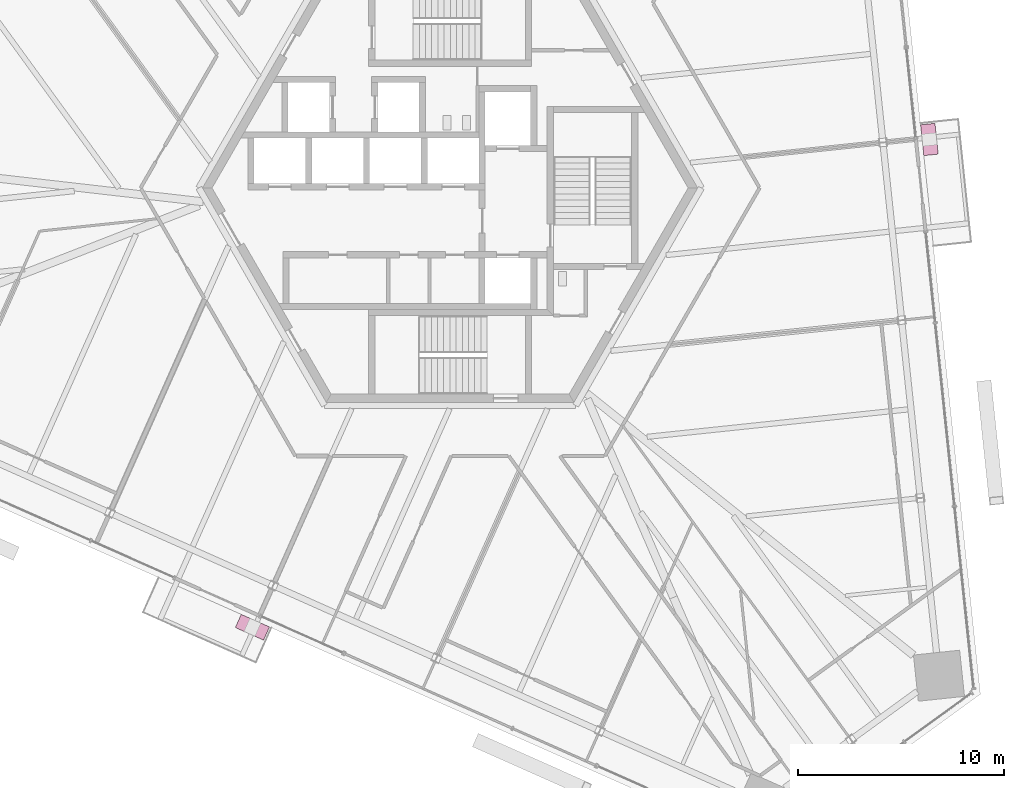
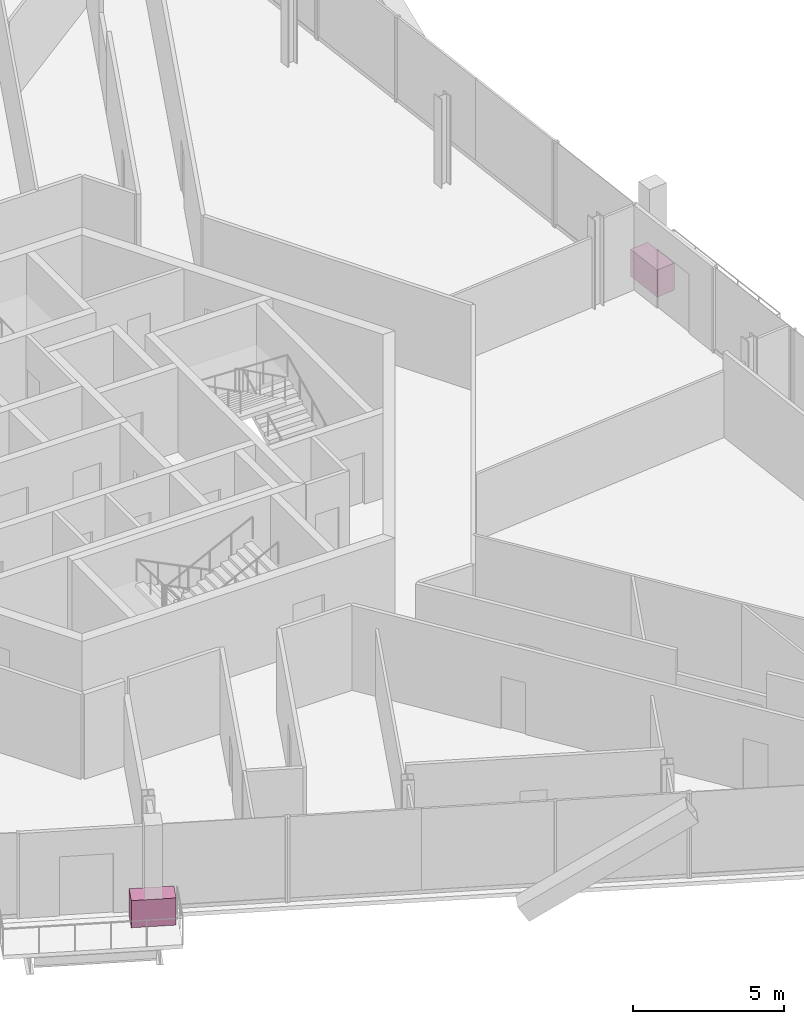
# One storey, part 17 of 18: 2 furniture elements.
"""IFC4 building model written with IfcOpenShell, lengths in metres."""

from ifc_helpers import new_model, si_unit, direction, frame, origin, origin_2d, place, context, subcontext, project, spatial, rectangle, extrude, source, transform, mapped, material, type_object, element, save


model = new_model("IFC4")

# Units and contexts
model_context = context("Model", 3, precision=1e-05, world=origin(), true_north=direction((0.0, 1.0)))
body_context = subcontext(model_context, "Body", "Model", "MODEL_VIEW")
ifc_project = project(units=[si_unit("LENGTHUNIT", "METRE"), si_unit("AREAUNIT", "SQUARE_METRE"), si_unit("VOLUMEUNIT", "CUBIC_METRE"), si_unit("PLANEANGLEUNIT", "RADIAN"), si_unit("MASSUNIT", "GRAM", prefix="KILO")], contexts=[model_context])

# Site, building, storey
site_placement = place(None, origin())
site = spatial("IfcSite", under=ifc_project, at=site_placement, CompositionType="ELEMENT")
building_placement = place(site_placement, origin())
building = spatial("IfcBuilding", under=site, at=building_placement, Name="Triune Harvest Tower", CompositionType="ELEMENT")
storey_placement = place(building_placement, frame((0.0, 0.0, 83.699951171875)))
storey = spatial("IfcBuildingStorey", under=building, at=storey_placement, Name="L20", CompositionType="ELEMENT", Elevation=83.699951171875)

# Furniture
ifc_material = material(Name="Concrete 40 MPa", Category="concrete")
furniture_type = type_object("IfcFurnitureType", Name="PB-1 structural planter", AssemblyPlace="SITE", PredefinedType="USERDEFINED", material=ifc_material)
shared_shape = source(origin(), body_context, "Body", "SweptSolid", [
    extrude(rectangle(XDim=1.5, YDim=0.699951171875, at=origin_2d()), origin(), (0.0, 0.0, 1.0), 1.10009765625),
])
for number, where, z_axis, x_axis, name in (
    (1, (23.2294921875, 2.34814453125, 0.0), (0.0, 0.0, 1.0), (-0.104527536558, 0.994521992769, 0.0), "Planter B2-F1 L20.6b"),
    (2, (-9.5810546875, -21.29150390625, 0.0), (0.0, 0.0, 1.0), (0.913545207137, -0.406737205721, 0.0), "Planter B2-F5 L20.6b"),
):
    element("IfcFurniture", number, at=place(storey_placement, frame(where, z_axis=z_axis, x_axis=x_axis)), inside=storey, type_object=furniture_type, Name=name, ObjectType="PLANTER", PredefinedType="USERDEFINED", context=body_context, shape_type="MappedRepresentation", body=[
        mapped(shared_shape, transform((0.0, 0.0, 0.0), scale=1.0)),
    ])

save(model, "model.ifc")
